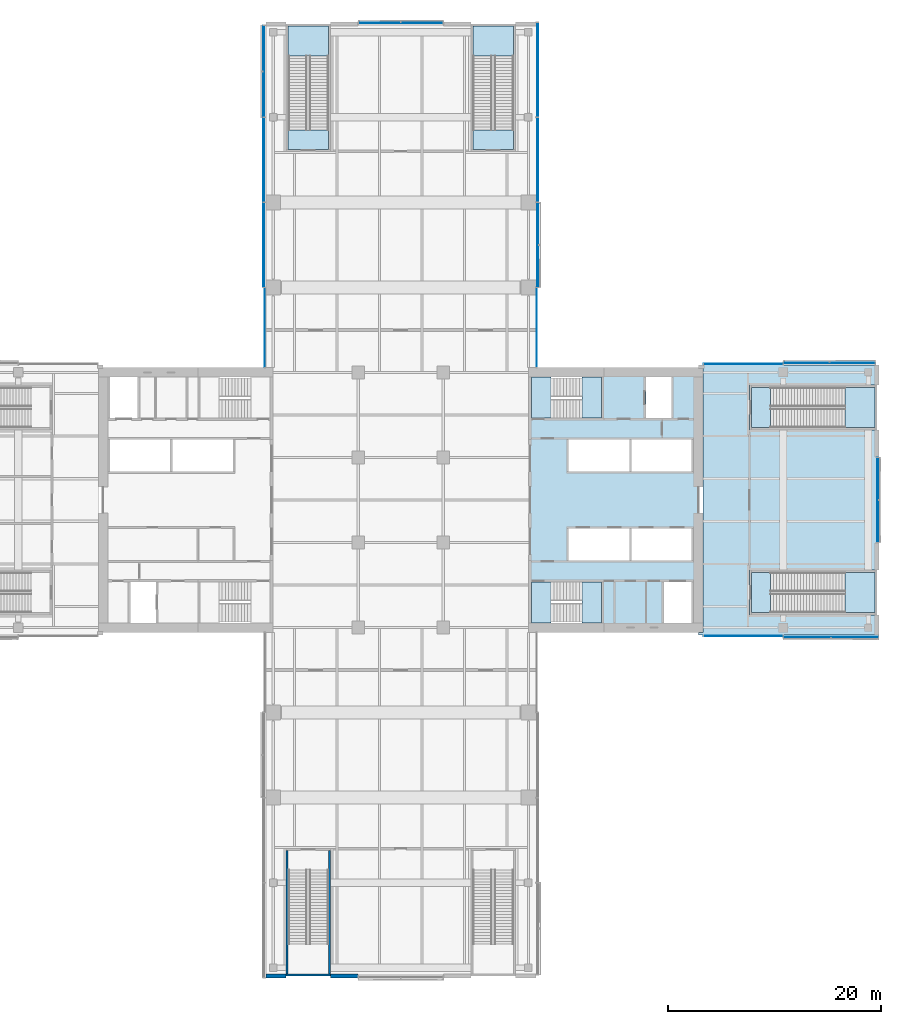
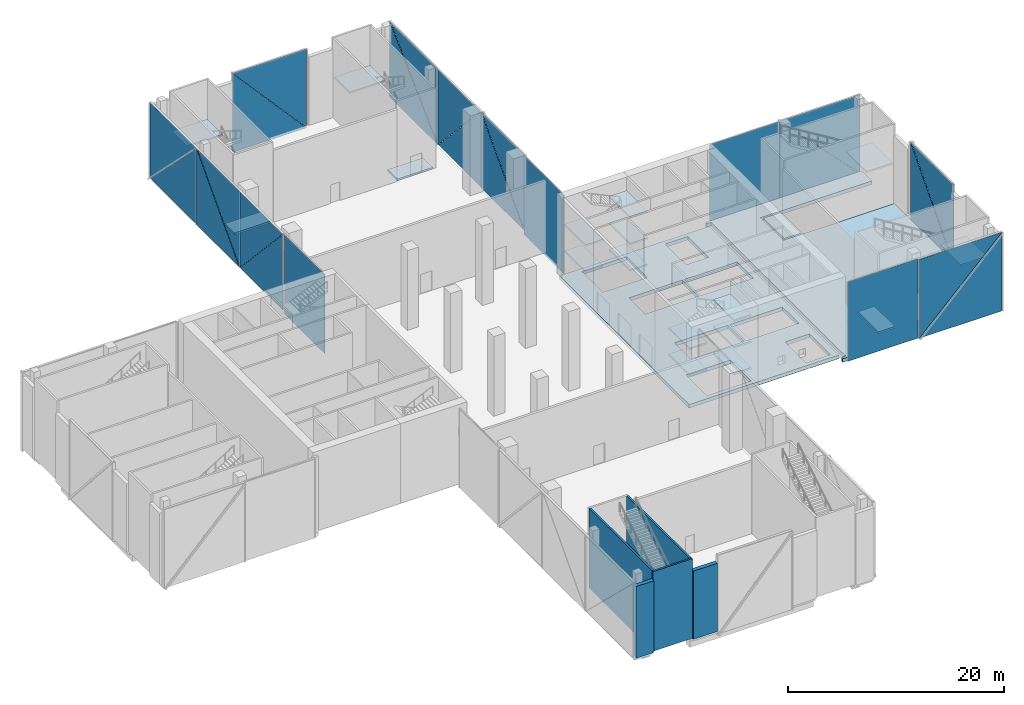
# One storey, part 13 of 26: 24 plates, 20 slabs, 5 walls, 16 elements without a shape of their own.
"""IFC4 building model written with IfcOpenShell, lengths in metres."""

from ifc_helpers import new_model, si_unit, direction, frame, frame_2d, origin, place, context, subcontext, project, spatial, polyline, rectangle, outline, extrude, material, layer, layer_set, type_object, element, aggregate, save


model = new_model("IFC4")

# Units and contexts
model_context = context("Model", 3, precision=1e-05, world=origin(), true_north=direction((0.0, 1.0)))
body_context = subcontext(model_context, "Body", "Model", "MODEL_VIEW")
ifc_project = project(units=[si_unit("LENGTHUNIT", "METRE"), si_unit("AREAUNIT", "SQUARE_METRE"), si_unit("VOLUMEUNIT", "CUBIC_METRE"), si_unit("PLANEANGLEUNIT", "RADIAN"), si_unit("MASSUNIT", "GRAM", prefix="KILO")], contexts=[model_context])

# Site, building, storey
site_placement = place(None, origin())
site = spatial("IfcSite", under=ifc_project, at=site_placement, CompositionType="ELEMENT")
building_placement = place(site_placement, origin())
building = spatial("IfcBuilding", under=site, at=building_placement, Name="Crosswind Convention Tower", CompositionType="ELEMENT")
storey_placement = place(building_placement, frame((0.0, 0.0, 25.0)))
storey = spatial("IfcBuildingStorey", under=building, at=storey_placement, Name="L03", CompositionType="ELEMENT", Elevation=25.0)

# Slabs
ifc_material_1 = material(Name="Concrete C40/50", Category="concrete")
ifc_layer_1 = layer(ifc_material_1, 0.39990234375)
ifc_layer_set_1 = layer_set([ifc_layer_1], Name="Concrete C40/50")
slab_type_1 = type_object("IfcSlabType", Name="Composite floor slab 400", PredefinedType="FLOOR", material=ifc_layer_set_1)
slab_1_placement = place(storey_placement, frame((0.0, 0.0, -0.39990234375)))
element("IfcSlab", 1, at=slab_1_placement, inside=storey, type_object=slab_type_1, Name="Floor slab L03 part 3", PredefinedType="FLOOR", context=body_context, shape_type="SweptSolid", body=[
    extrude(outline(polyline([(169.699951171875, 93.39990234375), (157.800048828125, 93.39990234375), (157.800048828125, 89.199951171875), (169.699951171875, 89.199951171875), (169.699951171875, 88.0), (169.699951171875, 87.300048828125), (169.0, 87.300048828125), (153.0, 87.300048828125), (153.0, 87.550048828125), (153.449951171875, 87.550048828125), (153.449951171875, 112.449951171875), (153.0, 112.449951171875), (153.0, 112.699951171875), (169.0, 112.699951171875), (169.699951171875, 112.699951171875), (169.699951171875, 112.0), (169.699951171875, 110.800048828125), (157.800048828125, 110.800048828125), (157.800048828125, 106.60009765625), (169.699951171875, 106.60009765625), (169.699951171875, 93.39990234375)])), origin(), (0.0, 0.0, 1.0), 0.39990234375),
])
ifc_layer_2 = layer(ifc_material_1, 0.39990234375)
ifc_layer_set_2 = layer_set([ifc_layer_2], Name="Concrete C40/50")
slab_type_2 = type_object("IfcSlabType", Name="Concrete core floor slab 400", PredefinedType="FLOOR", material=ifc_layer_set_2)
slab_2_placement = place(storey_placement, frame((0.0, 0.0, -0.39990234375)))
element("IfcSlab", 2, at=slab_2_placement, inside=storey, type_object=slab_type_2, Name="Core floor slab E L03", PredefinedType="FLOOR", context=body_context, shape_type="SweptSolid", body=[
    extrude(outline(polyline([(137.0, 88.0), (153.0, 88.0), (153.0, 112.0), (137.0, 112.0), (137.0, 88.0)]), holes=[polyline([(146.5, 102.699951171875), (146.5, 105.699951171875), (140.800048828125, 105.699951171875), (140.800048828125, 102.699951171875), (146.5, 102.699951171875)]), polyline([(152.35009765625, 102.699951171875), (152.35009765625, 105.699951171875), (146.699951171875, 105.699951171875), (146.699951171875, 102.699951171875), (152.35009765625, 102.699951171875)]), polyline([(146.5, 94.300048828125), (146.5, 97.300048828125), (140.800048828125, 97.300048828125), (140.800048828125, 94.300048828125), (146.5, 94.300048828125)]), polyline([(152.35009765625, 94.300048828125), (152.35009765625, 97.300048828125), (146.699951171875, 97.300048828125), (146.699951171875, 94.300048828125), (152.35009765625, 94.300048828125)]), polyline([(150.449951171875, 107.699951171875), (150.449951171875, 111.550048828125), (148.050048828125, 111.550048828125), (148.050048828125, 107.699951171875), (150.449951171875, 107.699951171875)]), polyline([(152.35009765625, 88.449951171875), (152.35009765625, 92.300048828125), (149.75, 92.300048828125), (149.75, 88.449951171875), (152.35009765625, 88.449951171875)]), polyline([(143.89990234375, 107.699951171875), (143.89990234375, 111.550048828125), (139.14990234375, 111.550048828125), (139.14990234375, 107.699951171875), (143.89990234375, 107.699951171875)]), polyline([(143.89990234375, 88.449951171875), (143.89990234375, 92.300048828125), (139.14990234375, 92.300048828125), (139.14990234375, 88.449951171875), (143.89990234375, 88.449951171875)])]), origin(), (0.0, 0.0, 1.0), 0.39990234375),
])

# Stair, slabs
stair_type_1 = type_object("IfcStairType", Name="PODIUM EXIT STAIR 9000 RISE", PredefinedType="HALF_TURN_STAIR", material=ifc_material_1)
stair_1_placement = place(storey_placement, origin())
stair_1 = element("IfcStair", 3, at=stair_1_placement, inside=storey, type_object=stair_type_1, Name="Exit stair E1 L03", ObjectType="ST12", PredefinedType="HALF_TURN_STAIR")
ifc_layer_3 = layer(ifc_material_1, 0.199951171875)
ifc_layer_set_3 = layer_set([ifc_layer_3], Name="Concrete C40/50")
slab_type_3 = type_object("IfcSlabType", Name="PODIUM STAIR LANDING 200 FOR 26 RISERS", PredefinedType="LANDING", material=ifc_layer_set_3)
slab_3_placement = place(storey_placement, frame((0.0, 0.0, 4.300048828125)))
slab_3 = element("IfcSlab", 4, at=slab_3_placement, type_object=slab_type_3, Name="ST12 landing 1", PredefinedType="LANDING", context=body_context, shape_type="SweptSolid", body=[
    extrude(outline(polyline([(166.800048828125, 89.39990234375), (169.60009765625, 89.39990234375), (169.60009765625, 93.199951171875), (166.800048828125, 93.199951171875), (166.800048828125, 89.39990234375)])), origin(), (0.0, 0.0, 1.0), 0.199951171875),
])
slab_4_placement = place(storey_placement, frame((0.0, 0.0, -0.199951171875)))
slab_4 = element("IfcSlab", 5, at=slab_4_placement, type_object=slab_type_3, Name="ST12 landing 2", PredefinedType="LANDING", context=body_context, shape_type="SweptSolid", body=[
    extrude(outline(polyline([(158.0, 89.39990234375), (159.800048828125, 89.39990234375), (159.800048828125, 93.199951171875), (158.0, 93.199951171875), (158.0, 89.39990234375)])), origin(), (0.0, 0.0, 1.0), 0.199951171875),
])
aggregate(stair_1, [slab_3, slab_4])

stair_2_placement = place(storey_placement, origin())
stair_2 = element("IfcStair", 6, at=stair_2_placement, inside=storey, type_object=stair_type_1, Name="Exit stair E2 L03", ObjectType="ST12", PredefinedType="HALF_TURN_STAIR")
slab_5_placement = place(storey_placement, frame((0.0, 0.0, 4.300048828125)))
slab_5 = element("IfcSlab", 7, at=slab_5_placement, type_object=slab_type_3, Name="ST12 landing 1", PredefinedType="LANDING", context=body_context, shape_type="SweptSolid", body=[
    extrude(outline(polyline([(166.800048828125, 106.800048828125), (169.60009765625, 106.800048828125), (169.60009765625, 110.60009765625), (166.800048828125, 110.60009765625), (166.800048828125, 106.800048828125)])), origin(), (0.0, 0.0, 1.0), 0.199951171875),
])
slab_6_placement = place(storey_placement, frame((0.0, 0.0, -0.199951171875)))
slab_6 = element("IfcSlab", 8, at=slab_6_placement, type_object=slab_type_3, Name="ST12 landing 2", PredefinedType="LANDING", context=body_context, shape_type="SweptSolid", body=[
    extrude(outline(polyline([(158.0, 106.800048828125), (159.800048828125, 106.800048828125), (159.800048828125, 110.60009765625), (158.0, 110.60009765625), (158.0, 106.800048828125)])), origin(), (0.0, 0.0, 1.0), 0.199951171875),
])
aggregate(stair_2, [slab_5, slab_6])

stair_3_placement = place(storey_placement, origin())
stair_3 = element("IfcStair", 9, at=stair_3_placement, inside=storey, type_object=stair_type_1, Name="Exit stair N1 L03", ObjectType="ST12", PredefinedType="HALF_TURN_STAIR")
slab_7_placement = place(storey_placement, frame((0.0, 0.0, 4.300048828125)))
slab_7 = element("IfcSlab", 10, at=slab_7_placement, type_object=slab_type_3, Name="ST12 landing 1", PredefinedType="LANDING", context=body_context, shape_type="SweptSolid", body=[
    extrude(outline(polyline([(118.199951171875, 141.800048828125), (118.199951171875, 144.60009765625), (114.39990234375, 144.60009765625), (114.39990234375, 141.800048828125), (118.199951171875, 141.800048828125)])), origin(), (0.0, 0.0, 1.0), 0.199951171875),
])
slab_8_placement = place(storey_placement, frame((0.0, 0.0, -0.199951171875)))
slab_8 = element("IfcSlab", 11, at=slab_8_placement, type_object=slab_type_3, Name="ST12 landing 2", PredefinedType="LANDING", context=body_context, shape_type="SweptSolid", body=[
    extrude(outline(polyline([(118.199951171875, 133.0), (118.199951171875, 134.800048828125), (114.39990234375, 134.800048828125), (114.39990234375, 133.0), (118.199951171875, 133.0)])), origin(), (0.0, 0.0, 1.0), 0.199951171875),
])
aggregate(stair_3, [slab_7, slab_8])

stair_4_placement = place(storey_placement, origin())
stair_4 = element("IfcStair", 12, at=stair_4_placement, inside=storey, type_object=stair_type_1, Name="Exit stair N2 L03", ObjectType="ST12", PredefinedType="HALF_TURN_STAIR")
slab_9_placement = place(storey_placement, frame((0.0, 0.0, 4.300048828125)))
slab_9 = element("IfcSlab", 13, at=slab_9_placement, type_object=slab_type_3, Name="ST12 landing 1", PredefinedType="LANDING", context=body_context, shape_type="SweptSolid", body=[
    extrude(outline(polyline([(135.60009765625, 141.800048828125), (135.60009765625, 144.60009765625), (131.800048828125, 144.60009765625), (131.800048828125, 141.800048828125), (135.60009765625, 141.800048828125)])), origin(), (0.0, 0.0, 1.0), 0.199951171875),
])
slab_10_placement = place(storey_placement, frame((0.0, 0.0, -0.199951171875)))
slab_10 = element("IfcSlab", 14, at=slab_10_placement, type_object=slab_type_3, Name="ST12 landing 2", PredefinedType="LANDING", context=body_context, shape_type="SweptSolid", body=[
    extrude(outline(polyline([(135.60009765625, 133.0), (135.60009765625, 134.800048828125), (131.800048828125, 134.800048828125), (131.800048828125, 133.0), (135.60009765625, 133.0)])), origin(), (0.0, 0.0, 1.0), 0.199951171875),
])
aggregate(stair_4, [slab_9, slab_10])

stair_type_2 = type_object("IfcStairType", Name="Exit stair 1800 wide, 6 flights of 11 risers", PredefinedType="HALF_TURN_STAIR", material=ifc_material_1)
stair_5_placement = place(storey_placement, origin())
stair_5 = element("IfcStair", 15, at=stair_5_placement, inside=storey, type_object=stair_type_2, Name="Exit stair ST1 L03", ObjectType="ST7", PredefinedType="HALF_TURN_STAIR")
ifc_layer_4 = layer(ifc_material_1, 0.199951171875)
ifc_layer_set_4 = layer_set([ifc_layer_4], Name="Concrete C40/50")
slab_type_4 = type_object("IfcSlabType", Name="Stair landing 200", PredefinedType="LANDING", material=ifc_layer_set_4)
slab_11_placement = place(storey_placement, frame((0.0, 0.0, 1.300048828125)))
slab_11 = element("IfcSlab", 16, at=slab_11_placement, type_object=slab_type_4, Name="ST1 landing 1", PredefinedType="LANDING", context=body_context, shape_type="SweptSolid", body=[
    extrude(outline(polyline([(143.89990234375, 107.699951171875), (143.89990234375, 111.550048828125), (142.050048828125, 111.550048828125), (142.050048828125, 107.699951171875), (143.89990234375, 107.699951171875)])), origin(), (0.0, 0.0, 1.0), 0.199951171875),
])
slab_12_placement = place(storey_placement, frame((0.0, 0.0, 2.800048828125)))
slab_12 = element("IfcSlab", 17, at=slab_12_placement, type_object=slab_type_4, Name="ST1 landing 2", PredefinedType="LANDING", context=body_context, shape_type="SweptSolid", body=[
    extrude(outline(polyline([(139.14990234375, 107.699951171875), (139.14990234375, 111.550048828125), (137.300048828125, 111.550048828125), (137.300048828125, 107.699951171875), (139.14990234375, 107.699951171875)])), origin(), (0.0, 0.0, 1.0), 0.199951171875),
])
slab_13_placement = place(storey_placement, frame((0.0, 0.0, 4.300048828125)))
slab_13 = element("IfcSlab", 18, at=slab_13_placement, type_object=slab_type_4, Name="ST1 landing 3", PredefinedType="LANDING", context=body_context, shape_type="SweptSolid", body=[
    extrude(outline(polyline([(143.89990234375, 107.699951171875), (143.89990234375, 111.550048828125), (142.050048828125, 111.550048828125), (142.050048828125, 107.699951171875), (143.89990234375, 107.699951171875)])), origin(), (0.0, 0.0, 1.0), 0.199951171875),
])
slab_14_placement = place(storey_placement, frame((0.0, 0.0, 5.800048828125)))
slab_14 = element("IfcSlab", 19, at=slab_14_placement, type_object=slab_type_4, Name="ST1 landing 4", PredefinedType="LANDING", context=body_context, shape_type="SweptSolid", body=[
    extrude(outline(polyline([(139.14990234375, 107.699951171875), (139.14990234375, 111.550048828125), (137.300048828125, 111.550048828125), (137.300048828125, 107.699951171875), (139.14990234375, 107.699951171875)])), origin(), (0.0, 0.0, 1.0), 0.199951171875),
])
slab_15_placement = place(storey_placement, frame((0.0, 0.0, 7.300048828125)))
slab_15 = element("IfcSlab", 20, at=slab_15_placement, type_object=slab_type_4, Name="ST1 landing 5", PredefinedType="LANDING", context=body_context, shape_type="SweptSolid", body=[
    extrude(outline(polyline([(143.89990234375, 107.699951171875), (143.89990234375, 111.550048828125), (142.050048828125, 111.550048828125), (142.050048828125, 107.699951171875), (143.89990234375, 107.699951171875)])), origin(), (0.0, 0.0, 1.0), 0.199951171875),
])
aggregate(stair_5, [slab_11, slab_12, slab_13, slab_14, slab_15])

stair_6_placement = place(storey_placement, origin())
stair_6 = element("IfcStair", 21, at=stair_6_placement, inside=storey, type_object=stair_type_2, Name="Exit stair ST2 L03", ObjectType="ST7", PredefinedType="HALF_TURN_STAIR")
slab_16_placement = place(storey_placement, frame((0.0, 0.0, 1.300048828125)))
slab_16 = element("IfcSlab", 22, at=slab_16_placement, type_object=slab_type_4, Name="ST2 landing 1", PredefinedType="LANDING", context=body_context, shape_type="SweptSolid", body=[
    extrude(outline(polyline([(143.89990234375, 88.449951171875), (143.89990234375, 92.300048828125), (142.050048828125, 92.300048828125), (142.050048828125, 88.449951171875), (143.89990234375, 88.449951171875)])), origin(), (0.0, 0.0, 1.0), 0.199951171875),
])
slab_17_placement = place(storey_placement, frame((0.0, 0.0, 2.800048828125)))
slab_17 = element("IfcSlab", 23, at=slab_17_placement, type_object=slab_type_4, Name="ST2 landing 2", PredefinedType="LANDING", context=body_context, shape_type="SweptSolid", body=[
    extrude(outline(polyline([(139.14990234375, 88.449951171875), (139.14990234375, 92.300048828125), (137.300048828125, 92.300048828125), (137.300048828125, 88.449951171875), (139.14990234375, 88.449951171875)])), origin(), (0.0, 0.0, 1.0), 0.199951171875),
])
slab_18_placement = place(storey_placement, frame((0.0, 0.0, 4.300048828125)))
slab_18 = element("IfcSlab", 24, at=slab_18_placement, type_object=slab_type_4, Name="ST2 landing 3", PredefinedType="LANDING", context=body_context, shape_type="SweptSolid", body=[
    extrude(outline(polyline([(143.89990234375, 88.449951171875), (143.89990234375, 92.300048828125), (142.050048828125, 92.300048828125), (142.050048828125, 88.449951171875), (143.89990234375, 88.449951171875)])), origin(), (0.0, 0.0, 1.0), 0.199951171875),
])
slab_19_placement = place(storey_placement, frame((0.0, 0.0, 5.800048828125)))
slab_19 = element("IfcSlab", 25, at=slab_19_placement, type_object=slab_type_4, Name="ST2 landing 4", PredefinedType="LANDING", context=body_context, shape_type="SweptSolid", body=[
    extrude(outline(polyline([(139.14990234375, 88.449951171875), (139.14990234375, 92.300048828125), (137.300048828125, 92.300048828125), (137.300048828125, 88.449951171875), (139.14990234375, 88.449951171875)])), origin(), (0.0, 0.0, 1.0), 0.199951171875),
])
slab_20_placement = place(storey_placement, frame((0.0, 0.0, 7.300048828125)))
slab_20 = element("IfcSlab", 26, at=slab_20_placement, type_object=slab_type_4, Name="ST2 landing 5", PredefinedType="LANDING", context=body_context, shape_type="SweptSolid", body=[
    extrude(outline(polyline([(143.89990234375, 88.449951171875), (143.89990234375, 92.300048828125), (142.050048828125, 92.300048828125), (142.050048828125, 88.449951171875), (143.89990234375, 88.449951171875)])), origin(), (0.0, 0.0, 1.0), 0.199951171875),
])
aggregate(stair_6, [slab_16, slab_17, slab_18, slab_19, slab_20])

# Curtain wall, plate
ifc_material_2 = material(Name="Aluminium unitised curtain wall", Category="aluminium")
curtain_wall_type_1 = type_object("IfcCurtainWallType", Name="CORE END SLOT WALL 160", PredefinedType="USERDEFINED", material=ifc_material_2)
curtain_wall_1_placement = place(storey_placement, origin())
curtain_wall_1 = element("IfcCurtainWall", 27, at=curtain_wall_1_placement, inside=storey, type_object=curtain_wall_type_1, Name="CW6 L03 E-N.1-2 slot", ObjectType="UNITISED", PredefinedType="USERDEFINED")
ifc_material_3 = material(Name="Laminated insulating glass unit", Category="glass")
ifc_layer_5 = layer(ifc_material_3, 0.02587890625)
ifc_layer_set_5 = layer_set([ifc_layer_5], Name="TRIANGULAR GLASS PANEL 26")
plate_type_1 = type_object("IfcPlateType", Name="TRIANGULAR GLASS PANEL 26", PredefinedType="CURTAIN_PANEL", material=ifc_layer_set_5)
plate_1_placement = place(storey_placement, frame((160.949951171875, 112.807861328125, -0.39990234375), z_axis=(0.0, 0.999999916287, 0.00040917643), x_axis=(-1.0, 0.0, 0.0)))
plate_1 = element("IfcPlate", 28, at=plate_1_placement, type_object=plate_type_1, Name="CW6 panel 1.1", PredefinedType="CURTAIN_PANEL", context=body_context, shape_type="SweptSolid", body=[
    extrude(outline(polyline([(0.0, 0.0), (7.449951171875, 0.0), (7.449951171875, 8.949951921099451), (0.0, 8.949951921099451), (0.0, 0.0)])), origin(), (0.0, 0.0, -1.0), 0.02587890625),
])
aggregate(curtain_wall_1, [plate_1])

curtain_wall_2_placement = place(storey_placement, origin())
curtain_wall_2 = element("IfcCurtainWall", 29, at=curtain_wall_2_placement, inside=storey, type_object=curtain_wall_type_1, Name="CW6 L03 N-E.1-1 slot", ObjectType="UNITISED", PredefinedType="USERDEFINED")
plate_2_placement = place(storey_placement, frame((137.807861328125, 112.5, -0.39990234375), z_axis=(0.999999916287, 0.0, 0.00040917643), x_axis=(0.0, 1.0, 0.0)))
plate_2 = element("IfcPlate", 30, at=plate_2_placement, type_object=plate_type_1, Name="CW6 panel 1.1", PredefinedType="CURTAIN_PANEL", context=body_context, shape_type="SweptSolid", body=[
    extrude(outline(polyline([(0.0, 0.0), (7.449951171875, 0.0), (7.449951171875, 8.949951921099451), (0.0, 8.949951921099451), (0.0, 0.0)])), origin(), (0.0, 0.0, -1.0), 0.02587890625),
])
aggregate(curtain_wall_2, [plate_2])

curtain_wall_3_placement = place(storey_placement, origin())
curtain_wall_3 = element("IfcCurtainWall", 31, at=curtain_wall_3_placement, inside=storey, type_object=curtain_wall_type_1, Name="CW6 L03 N-W.1-4 slot", ObjectType="UNITISED", PredefinedType="USERDEFINED")
plate_3_placement = place(storey_placement, frame((112.192138671875, 119.949951171875, -0.39990234375), z_axis=(-0.999999916287, 0.0, 0.00040917643), x_axis=(0.0, -1.0, 0.0)))
plate_3 = element("IfcPlate", 32, at=plate_3_placement, type_object=plate_type_1, Name="CW6 panel 1.1", PredefinedType="CURTAIN_PANEL", context=body_context, shape_type="SweptSolid", body=[
    extrude(outline(polyline([(0.0, 0.0), (7.449951171875, 0.0), (7.449951171875, 8.949951921099451), (0.0, 8.949951921099451), (0.0, 0.0)])), origin(), (0.0, 0.0, -1.0), 0.02587890625),
])
aggregate(curtain_wall_3, [plate_3])

curtain_wall_4_placement = place(storey_placement, origin())
curtain_wall_4 = element("IfcCurtainWall", 33, at=curtain_wall_4_placement, inside=storey, type_object=curtain_wall_type_1, Name="CW6 L03 E-S.2-1 slot", ObjectType="UNITISED", PredefinedType="USERDEFINED")
plate_4_placement = place(storey_placement, frame((153.5, 87.192138671875, -0.39990234375), z_axis=(0.0, -0.999999916287, 0.00040917643), x_axis=(1.0, 0.0, 0.0)))
plate_4 = element("IfcPlate", 34, at=plate_4_placement, type_object=plate_type_1, Name="CW6 panel 1.1", PredefinedType="CURTAIN_PANEL", context=body_context, shape_type="SweptSolid", body=[
    extrude(outline(polyline([(0.0, 0.0), (7.449951171875, 0.0), (7.449951171875, 8.949951921099451), (0.0, 8.949951921099451), (0.0, 0.0)])), origin(), (0.0, 0.0, -1.0), 0.02587890625),
])
aggregate(curtain_wall_4, [plate_4])

# Curtain wall, plates
curtain_wall_type_2 = type_object("IfcCurtainWallType", Name="PODIUM UNITISED WALL 300", PredefinedType="USERDEFINED", material=ifc_material_2)
curtain_wall_5_placement = place(storey_placement, origin())
curtain_wall_5 = element("IfcCurtainWall", 35, at=curtain_wall_5_placement, inside=storey, type_object=curtain_wall_type_2, Name="CW1 L03 E-TIP 1", ObjectType="UNITISED", PredefinedType="USERDEFINED")
ifc_layer_6 = layer(ifc_material_3, 0.035888671875)
ifc_layer_set_6 = layer_set([ifc_layer_6], Name="TRIANGULAR GLASS PANEL 36")
plate_type_2 = type_object("IfcPlateType", Name="TRIANGULAR GLASS PANEL 36", PredefinedType="CURTAIN_PANEL", material=ifc_layer_set_6)
plate_5_placement = place(storey_placement, frame((169.8876953125, 103.9599609375, -0.39990234375), z_axis=(0.999999926335, 0.0, 0.000383835032), x_axis=(-0.000383835032, 0.0, 0.999999926335)))
plate_5 = element("IfcPlate", 36, at=plate_5_placement, type_object=plate_type_2, Name="CW1 panel 1.1", PredefinedType="CURTAIN_PANEL", context=body_context, shape_type="SweptSolid", body=[
    extrude(outline(polyline([(0.0, 0.0), (8.904785812218098, 0.0), (0.0, 7.906494140625), (0.0, 0.0)])), origin(), (0.0, 0.0, -1.0), 0.035888671875),
])
plate_6_placement = place(storey_placement, frame((169.922119140625, 96.0400390625, 8.52001953125), z_axis=(0.999999915441, 0.0, 0.000411240541), x_axis=(0.000411240541, 0.0, -0.999999915441)))
plate_6 = element("IfcPlate", 37, at=plate_6_placement, type_object=plate_type_2, Name="CW1 panel 1.2", PredefinedType="CURTAIN_PANEL", context=body_context, shape_type="SweptSolid", body=[
    extrude(outline(polyline([(0.0, 0.0), (8.905030049878953, 0.0), (0.0, 7.906494140624999), (0.0, 0.0)])), origin(), (0.0, 0.0, -1.0), 0.035888671875),
])
aggregate(curtain_wall_5, [plate_5, plate_6])

curtain_wall_6_placement = place(storey_placement, origin())
curtain_wall_6 = element("IfcCurtainWall", 38, at=curtain_wall_6_placement, inside=storey, type_object=curtain_wall_type_2, Name="CW1 L03 E-N 1", ObjectType="UNITISED", PredefinedType="USERDEFINED")
plate_7_placement = place(storey_placement, frame((161.0400390625, 112.8876953125, -0.39990234375), z_axis=(0.0, 0.999999926347, 0.000383803464), x_axis=(0.0, -0.000383803464, 0.999999926347)))
plate_7 = element("IfcPlate", 39, at=plate_7_placement, type_object=plate_type_2, Name="CW1 panel 1.1", PredefinedType="CURTAIN_PANEL", context=body_context, shape_type="SweptSolid", body=[
    extrude(outline(polyline([(0.0, 0.0), (8.90551823403915, 0.0), (0.0, 8.566162109375002), (0.0, 0.0)])), origin(), (0.0, 0.0, -1.0), 0.035888671875),
])
plate_8_placement = place(storey_placement, frame((169.6201171875, 112.922119140625, 8.52001953125), z_axis=(0.0, 0.99999991545, 0.000411217993), x_axis=(0.0, 0.000411217993, -0.99999991545)))
plate_8 = element("IfcPlate", 40, at=plate_8_placement, type_object=plate_type_2, Name="CW1 panel 1.2", PredefinedType="CURTAIN_PANEL", context=body_context, shape_type="SweptSolid", body=[
    extrude(outline(polyline([(0.0, 0.0), (8.905518331087665, 0.0), (0.0, 8.566162109375), (0.0, 0.0)])), origin(), (0.0, 0.0, -1.0), 0.035888671875),
])
aggregate(curtain_wall_6, [plate_7, plate_8])

curtain_wall_7_placement = place(storey_placement, origin())
curtain_wall_7 = element("IfcCurtainWall", 41, at=curtain_wall_7_placement, inside=storey, type_object=curtain_wall_type_2, Name="CW1 L03 N-E 1", ObjectType="UNITISED", PredefinedType="USERDEFINED")
plate_9_placement = place(storey_placement, frame((137.8876953125, 127.9599609375, -0.044921875), z_axis=(0.9999999201, 0.0, 0.000399748697), x_axis=(-0.000399748697, 0.0, 0.9999999201)))
plate_9 = element("IfcPlate", 42, at=plate_9_placement, type_object=plate_type_2, Name="CW1 panel 1.1", PredefinedType="CURTAIN_PANEL", context=body_context, shape_type="SweptSolid", body=[
    extrude(outline(polyline([(0.0, 0.0), (8.550293651914306, 0.0), (0.0, 7.90625), (0.0, 0.0)])), origin(), (0.0, 0.0, -1.0), 0.035888671875),
])
plate_10_placement = place(storey_placement, frame((137.92236328125, 120.0400390625, 8.52001953125), z_axis=(0.9999999201, 0.0, 0.000399748697), x_axis=(0.000399748697, 0.0, -0.9999999201)))
plate_10 = element("IfcPlate", 43, at=plate_10_placement, type_object=plate_type_2, Name="CW1 panel 1.2", PredefinedType="CURTAIN_PANEL", context=body_context, shape_type="SweptSolid", body=[
    extrude(outline(polyline([(0.0, 0.0), (8.550293651914306, 0.0), (0.0, 7.90625), (0.0, 0.0)])), origin(), (0.0, 0.0, -1.0), 0.035888671875),
])
plate_11_placement = place(storey_placement, frame((137.88427734375, 135.9599609375, 8.52001953125), z_axis=(0.9999999201, 0.0, 0.000399748697), x_axis=(0.0, -1.0, 0.0)))
plate_11 = element("IfcPlate", 44, at=plate_11_placement, type_object=plate_type_2, Name="CW1 panel 2.1", PredefinedType="CURTAIN_PANEL", context=body_context, shape_type="SweptSolid", body=[
    extrude(outline(polyline([(0.0, 0.0), (7.90625, 0.0), (0.0, 8.550293651914306), (0.0, 0.0)])), origin(), (0.0, 0.0, -1.0), 0.035888671875),
])
plate_12_placement = place(storey_placement, frame((137.92578125, 128.0400390625, -0.044921875), z_axis=(0.9999999201, 0.0, 0.000399748697), x_axis=(0.0, 1.0, 0.0)))
plate_12 = element("IfcPlate", 45, at=plate_12_placement, type_object=plate_type_2, Name="CW1 panel 2.2", PredefinedType="CURTAIN_PANEL", context=body_context, shape_type="SweptSolid", body=[
    extrude(outline(polyline([(0.0, 0.0), (7.90625, 0.0), (0.0, 8.550293651914306), (0.0, 0.0)])), origin(), (0.0, 0.0, -1.0), 0.035888671875),
])
plate_13_placement = place(storey_placement, frame((137.8876953125, 144.905029296875, -0.044921875), z_axis=(0.999999920114, 0.0, 0.000399714458), x_axis=(-0.000399714458, 0.0, 0.999999920114)))
plate_13 = element("IfcPlate", 46, at=plate_13_placement, type_object=plate_type_2, Name="CW1 panel 3.1", PredefinedType="CURTAIN_PANEL", context=body_context, shape_type="SweptSolid", body=[
    extrude(outline(polyline([(0.0, 0.0), (8.551026073730792, 0.0), (0.0, 8.850585937500002), (0.0, 0.0)])), origin(), (0.0, 0.0, -1.0), 0.035888671875),
])
plate_14_placement = place(storey_placement, frame((137.92236328125, 136.0400390625, 8.52001953125), z_axis=(0.999999920114, 0.0, 0.000399714458), x_axis=(0.000399714458, 0.0, -0.999999920114)))
plate_14 = element("IfcPlate", 47, at=plate_14_placement, type_object=plate_type_2, Name="CW1 panel 3.2", PredefinedType="CURTAIN_PANEL", context=body_context, shape_type="SweptSolid", body=[
    extrude(outline(polyline([(0.0, 0.0), (8.551026073730792, 0.0), (0.0, 8.850585937500002), (0.0, 0.0)])), origin(), (0.0, 0.0, -1.0), 0.035888671875),
])
aggregate(curtain_wall_7, [plate_9, plate_10, plate_11, plate_12, plate_13, plate_14])

curtain_wall_8_placement = place(storey_placement, origin())
curtain_wall_8 = element("IfcCurtainWall", 48, at=curtain_wall_8_placement, inside=storey, type_object=curtain_wall_type_2, Name="CW1 L03 N-TIP 1", ObjectType="UNITISED", PredefinedType="USERDEFINED")
plate_15_placement = place(storey_placement, frame((121.0400390625, 144.8876953125, -0.39990234375), z_axis=(0.0, 0.999999926335, 0.000383835032), x_axis=(0.0, -0.000383835032, 0.999999926335)))
plate_15 = element("IfcPlate", 49, at=plate_15_placement, type_object=plate_type_2, Name="CW1 panel 1.1", PredefinedType="CURTAIN_PANEL", context=body_context, shape_type="SweptSolid", body=[
    extrude(outline(polyline([(0.0, 0.0), (8.904785812218098, 0.0), (0.0, 7.906494140625), (0.0, 0.0)])), origin(), (0.0, 0.0, -1.0), 0.035888671875),
])
plate_16_placement = place(storey_placement, frame((128.9599609375, 144.922119140625, 8.52001953125), z_axis=(0.0, 0.999999915441, 0.000411240541), x_axis=(0.0, 0.000411240541, -0.999999915441)))
plate_16 = element("IfcPlate", 50, at=plate_16_placement, type_object=plate_type_2, Name="CW1 panel 1.2", PredefinedType="CURTAIN_PANEL", context=body_context, shape_type="SweptSolid", body=[
    extrude(outline(polyline([(0.0, 0.0), (8.905030049878953, 0.0), (0.0, 7.906494140624999), (0.0, 0.0)])), origin(), (0.0, 0.0, -1.0), 0.035888671875),
])
aggregate(curtain_wall_8, [plate_15, plate_16])

curtain_wall_9_placement = place(storey_placement, origin())
curtain_wall_9 = element("IfcCurtainWall", 51, at=curtain_wall_9_placement, inside=storey, type_object=curtain_wall_type_2, Name="CW1 L03 N-W 1", ObjectType="UNITISED", PredefinedType="USERDEFINED")
plate_17_placement = place(storey_placement, frame((112.1123046875, 136.0400390625, -0.044921875), z_axis=(-0.99999992011, 0.0, 0.00039972587), x_axis=(0.00039972587, 0.0, 0.99999992011)))
plate_17 = element("IfcPlate", 52, at=plate_17_placement, type_object=plate_type_2, Name="CW1 panel 1.1", PredefinedType="CURTAIN_PANEL", context=body_context, shape_type="SweptSolid", body=[
    extrude(outline(polyline([(0.0, 0.0), (8.550781933125293, 0.0), (0.0, 8.565917968749998), (0.0, 0.0)])), origin(), (0.0, 0.0, -1.0), 0.035888671875),
])
plate_18_placement = place(storey_placement, frame((112.07763671875, 144.6201171875, 8.52001953125), z_axis=(-0.99999992011, 0.0, 0.00039972587), x_axis=(-0.00039972587, 0.0, -0.99999992011)))
plate_18 = element("IfcPlate", 53, at=plate_18_placement, type_object=plate_type_2, Name="CW1 panel 1.2", PredefinedType="CURTAIN_PANEL", context=body_context, shape_type="SweptSolid", body=[
    extrude(outline(polyline([(0.0, 0.0), (8.550781933125293, 0.0), (0.0, 8.565917968749998), (0.0, 0.0)])), origin(), (0.0, 0.0, -1.0), 0.035888671875),
])
plate_19_placement = place(storey_placement, frame((112.11572265625, 128.0400390625, 8.52001953125), z_axis=(-0.9999999201, 0.0, 0.000399748697), x_axis=(0.0, 1.0, 0.0)))
plate_19 = element("IfcPlate", 54, at=plate_19_placement, type_object=plate_type_2, Name="CW1 panel 2.1", PredefinedType="CURTAIN_PANEL", context=body_context, shape_type="SweptSolid", body=[
    extrude(outline(polyline([(0.0, 0.0), (7.90625, 0.0), (0.0, 8.550293651914306), (0.0, 0.0)])), origin(), (0.0, 0.0, -1.0), 0.035888671875),
])
plate_20_placement = place(storey_placement, frame((112.07421875, 135.9599609375, -0.044921875), z_axis=(-0.9999999201, 0.0, 0.000399748697), x_axis=(0.0, -1.0, 0.0)))
plate_20 = element("IfcPlate", 55, at=plate_20_placement, type_object=plate_type_2, Name="CW1 panel 2.2", PredefinedType="CURTAIN_PANEL", context=body_context, shape_type="SweptSolid", body=[
    extrude(outline(polyline([(0.0, 0.0), (7.90625, 0.0), (0.0, 8.550293651914306), (0.0, 0.0)])), origin(), (0.0, 0.0, -1.0), 0.035888671875),
])
plate_21_placement = place(storey_placement, frame((112.1123046875, 120.0400390625, -0.044921875), z_axis=(-0.9999999201, 0.0, 0.000399748697), x_axis=(0.000399748697, 0.0, 0.9999999201)))
plate_21 = element("IfcPlate", 56, at=plate_21_placement, type_object=plate_type_2, Name="CW1 panel 3.1", PredefinedType="CURTAIN_PANEL", context=body_context, shape_type="SweptSolid", body=[
    extrude(outline(polyline([(0.0, 0.0), (8.550293651914306, 0.0), (0.0, 7.90625), (0.0, 0.0)])), origin(), (0.0, 0.0, -1.0), 0.035888671875),
])
plate_22_placement = place(storey_placement, frame((112.07763671875, 127.9599609375, 8.52001953125), z_axis=(-0.9999999201, 0.0, 0.000399748697), x_axis=(-0.000399748697, 0.0, -0.9999999201)))
plate_22 = element("IfcPlate", 57, at=plate_22_placement, type_object=plate_type_2, Name="CW1 panel 3.2", PredefinedType="CURTAIN_PANEL", context=body_context, shape_type="SweptSolid", body=[
    extrude(outline(polyline([(0.0, 0.0), (8.550293651914306, 0.0), (0.0, 7.90625), (0.0, 0.0)])), origin(), (0.0, 0.0, -1.0), 0.035888671875),
])
aggregate(curtain_wall_9, [plate_17, plate_18, plate_19, plate_20, plate_21, plate_22])

curtain_wall_10_placement = place(storey_placement, origin())
curtain_wall_10 = element("IfcCurtainWall", 58, at=curtain_wall_10_placement, inside=storey, type_object=curtain_wall_type_2, Name="CW1 L03 E-S 2", ObjectType="UNITISED", PredefinedType="USERDEFINED")
plate_23_placement = place(storey_placement, frame((169.905029296875, 87.1123046875, -0.39990234375), z_axis=(0.0, -0.999999926351, 0.000383792943), x_axis=(0.0, 0.000383792943, 0.999999926351)))
plate_23 = element("IfcPlate", 59, at=plate_23_placement, type_object=plate_type_2, Name="CW1 panel 1.1", PredefinedType="CURTAIN_PANEL", context=body_context, shape_type="SweptSolid", body=[
    extrude(outline(polyline([(0.0, 0.0), (8.905762374646168, 0.0), (0.0, 8.850830078125), (0.0, 0.0)])), origin(), (0.0, 0.0, -1.0), 0.035888671875),
])
plate_24_placement = place(storey_placement, frame((161.0400390625, 87.077880859375, 8.52001953125), z_axis=(0.0, -0.999999915455, 0.00041120672), x_axis=(0.0, -0.00041120672, -0.999999915455)))
plate_24 = element("IfcPlate", 60, at=plate_24_placement, type_object=plate_type_2, Name="CW1 panel 1.2", PredefinedType="CURTAIN_PANEL", context=body_context, shape_type="SweptSolid", body=[
    extrude(outline(polyline([(0.0, 0.0), (8.905762471692025, 0.0), (0.0, 8.850830078125), (0.0, 0.0)])), origin(), (0.0, 0.0, -1.0), 0.035888671875),
])
aggregate(curtain_wall_10, [plate_23, plate_24])

# Walls
ifc_layer_7 = layer(ifc_material_1, 0.199951171875)
ifc_layer_set_7 = layer_set([ifc_layer_7], Name="Concrete C40/50")
wall_type_1 = type_object("IfcWallType", Name="STAIR ENCLOSURE WALL 200", PredefinedType="SOLIDWALL", material=ifc_layer_set_7)
wall_1_placement = place(storey_placement, frame((114.199951171875, 55.300048828125, 0.0), z_axis=(0.0, 0.0, 1.0), x_axis=(1.0, 0.0, 0.0)))
element("IfcWall", 61, at=wall_1_placement, inside=storey, type_object=wall_type_1, Name="Stair Enclosure Wall 1", PredefinedType="SOLIDWALL", context=body_context, shape_type="SweptSolid", body=[
    extrude(rectangle(XDim=4.199951171875, YDim=0.199951171875, at=frame_2d((2.10009765625, 0.0))), origin(), (0.0, 0.0, 1.0), 9.0),
])
for number, where, z_axis, x_axis, name in (
    (62, (114.300048828125, 55.39990234375, 0.0), (0.0, 0.0, 1.0), (0.0, 1.0, 0.0), "Stair Enclosure Wall 28"),
    (63, (118.300048828125, 55.39990234375, 0.0), (0.0, 0.0, 1.0), (0.0, 1.0, 0.0), "Stair Enclosure Wall 30"),
):
    element("IfcWall", number, at=place(storey_placement, frame(where, z_axis=z_axis, x_axis=x_axis)), inside=storey, type_object=wall_type_1, Name=name, PredefinedType="SOLIDWALL", context=body_context, shape_type="SweptSolid", body=[
        extrude(rectangle(XDim=11.60009765625, YDim=0.199951171875, at=frame_2d((5.800048828125, 0.0))), origin(), (0.0, 0.0, 1.0), 9.0),
    ])
ifc_material_4 = material(Name="Terracotta rainscreen", Category="ceramic")
ifc_layer_8 = layer(ifc_material_4, 0.02001953125)
ifc_material_5 = material(Name="Mineral wool insulation", Category="insulation")
ifc_layer_9 = layer(ifc_material_5, 0.10009765625)
ifc_material_6 = material(Name="Concrete blockwork", Category="masonry")
ifc_layer_10 = layer(ifc_material_6, 0.280029296875)
ifc_layer_set_8 = layer_set([ifc_layer_8, ifc_layer_9, ifc_layer_10], Name="TERRACOTTA INFILL WALL 400")
wall_type_2 = type_object("IfcWallType", Name="TERRACOTTA INFILL WALL 400", PredefinedType="SOLIDWALL", material=ifc_layer_set_8)
wall_2_placement = place(storey_placement, frame((112.300048828125, 55.215087890625, 0.0), z_axis=(0.0, 0.0, 1.0), x_axis=(1.0, 0.0, 0.0)))
element("IfcWall", 64, at=wall_2_placement, inside=storey, type_object=wall_type_2, Name="Stair enclosure side wall L03 S-TIP.1-1.1", PredefinedType="SOLIDWALL", context=body_context, shape_type="SweptSolid", body=[
    extrude(rectangle(XDim=1.89990234375, YDim=0.39990234375, at=frame_2d((0.949951171875, 0.0))), origin(), (0.0, 0.0, 1.0), 8.10009765625),
])
wall_3_placement = place(storey_placement, frame((118.39990234375, 55.215087890625, 0.0), z_axis=(0.0, 0.0, 1.0), x_axis=(1.0, 0.0, 0.0)))
element("IfcWall", 65, at=wall_3_placement, inside=storey, type_object=wall_type_2, Name="Stair enclosure side wall L03 S-TIP.1-1.2", PredefinedType="SOLIDWALL", context=body_context, shape_type="SweptSolid", body=[
    extrude(rectangle(XDim=2.56005859375, YDim=0.39990234375, at=frame_2d((1.280029296875, 0.0))), origin(), (0.0, 0.0, 1.0), 7.699951171875),
])

save(model, "model.ifc")
